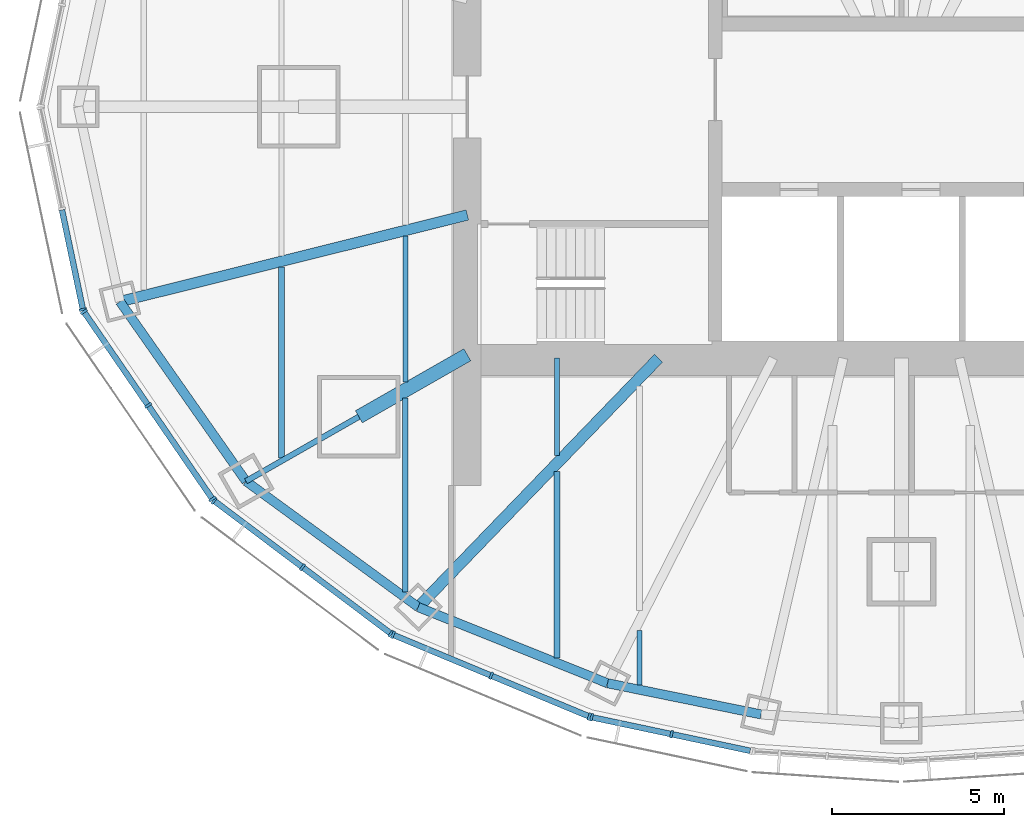
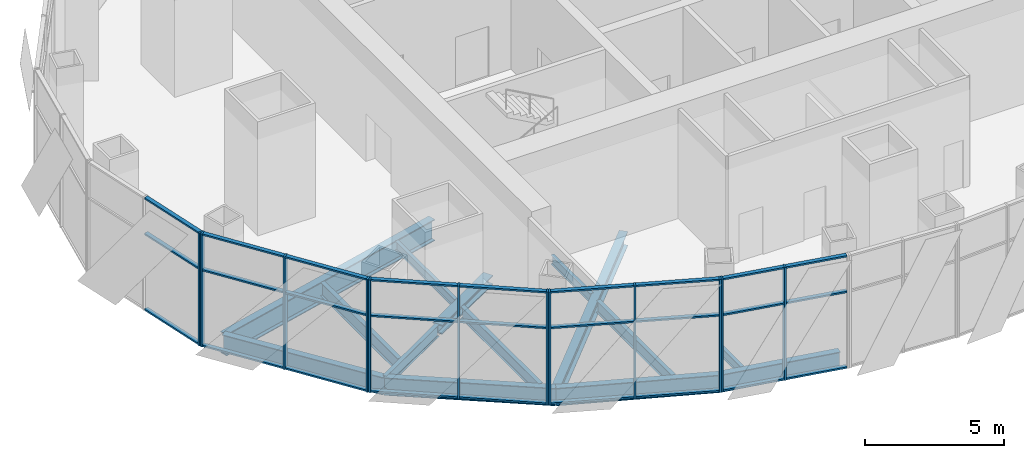
# One storey, part 2 of 17: 39 members, 14 beams, 5 elements without a shape of their own.
"""IFC4 building model written with IfcOpenShell, lengths in metres."""

from ifc_helpers import new_model, si_unit, direction, frame, origin, origin_2d, place, context, subcontext, project, spatial, rectangle, i_section, extrude, material, material_profile, profile_set, type_object, element, aggregate, save


model = new_model("IFC4")

# Units and contexts
model_context = context("Model", 3, precision=1e-05, world=origin(), true_north=direction((0.0, 1.0)))
body_context = subcontext(model_context, "Body", "Model", "MODEL_VIEW")
ifc_project = project(units=[si_unit("LENGTHUNIT", "METRE"), si_unit("AREAUNIT", "SQUARE_METRE"), si_unit("VOLUMEUNIT", "CUBIC_METRE"), si_unit("PLANEANGLEUNIT", "RADIAN"), si_unit("MASSUNIT", "GRAM", prefix="KILO")], contexts=[model_context])

# Site, building, storey
site_placement = place(None, origin())
site = spatial("IfcSite", under=ifc_project, at=site_placement, CompositionType="ELEMENT")
building_placement = place(site_placement, origin())
building = spatial("IfcBuilding", under=site, at=building_placement, Name="Lantaw Convention Tower", CompositionType="ELEMENT")
storey_placement = place(building_placement, frame((0.0, 0.0, 279.39990234375)))
storey = spatial("IfcBuildingStorey", under=building, at=storey_placement, Name="L65", CompositionType="ELEMENT", Elevation=279.39990234375)

# Beams
ifc_material_1 = material(Name="Steel ASTM A992", Category="steel")
ifc_material_profile_1 = material_profile(ifc_material_1, i_section(OverallWidth=0.2666015625, OverallDepth=0.76953125, WebThickness=0.015625, FlangeThickness=0.025390625, FilletRadius=0.0126953125, at=origin_2d()), Name="W30X132")
ifc_profile_set_1 = profile_set([ifc_material_profile_1], Name="Steel ASTM A992")
beam_type_1 = type_object("IfcBeamType", Name="Beam E W30X132", PredefinedType="SPANDREL", material=ifc_profile_set_1)
beam_1_placement = place(storey_placement, frame((-22.68701171875, -5.656494140625, -0.53466796875), z_axis=(0.574400527612, -0.81857439117, 0.0), x_axis=(0.81857439117, 0.574400527612, 0.0)))
element("IfcBeam", 1, at=beam_1_placement, inside=storey, type_object=beam_type_1, Name="Edge beam 14", PredefinedType="SPANDREL", context=body_context, shape_type="SweptSolid", body=[
    extrude(i_section(OverallWidth=0.2666015625, OverallDepth=0.76953125, WebThickness=0.015625, FlangeThickness=0.025390625, FilletRadius=0.0126953125, at=origin_2d()), origin(), (0.0, 0.0, 1.0), 6.3720703125),
])
beam_2_placement = place(storey_placement, frame((-19.02685546875, -10.87255859375, -0.53466796875), z_axis=(0.807371616826, -0.59004328006, 0.0), x_axis=(0.59004328006, 0.807371616826, 0.0)))
element("IfcBeam", 2, at=beam_2_placement, inside=storey, type_object=beam_type_1, Name="Edge beam 15", PredefinedType="SPANDREL", context=body_context, shape_type="SweptSolid", body=[
    extrude(i_section(OverallWidth=0.2666015625, OverallDepth=0.76953125, WebThickness=0.015625, FlangeThickness=0.025390625, FilletRadius=0.0126953125, at=origin_2d()), origin(), (0.0, 0.0, 1.0), 6.192138671875),
])
beam_3_placement = place(storey_placement, frame((-14.027587890625, -14.526123046875, -0.53466796875), z_axis=(0.927779110974, -0.373129898615, 0.0), x_axis=(0.373129898615, 0.927779110974, 0.0)))
element("IfcBeam", 3, at=beam_3_placement, inside=storey, type_object=beam_type_1, Name="Edge beam 16", PredefinedType="SPANDREL", context=body_context, shape_type="SweptSolid", body=[
    extrude(i_section(OverallWidth=0.2666015625, OverallDepth=0.76953125, WebThickness=0.015625, FlangeThickness=0.025390625, FilletRadius=0.0126953125, at=origin_2d()), origin(), (0.0, 0.0, 1.0), 5.92724609375),
])
beam_4_placement = place(storey_placement, frame((-8.5283203125, -16.73779296875, -0.53466796875), z_axis=(0.980006466425, -0.198965639657, 0.0), x_axis=(0.198965639657, 0.980006466425, 0.0)))
element("IfcBeam", 4, at=beam_4_placement, inside=storey, type_object=beam_type_1, Name="Edge beam 17", PredefinedType="SPANDREL", context=body_context, shape_type="SweptSolid", body=[
    extrude(i_section(OverallWidth=0.2666015625, OverallDepth=0.76953125, WebThickness=0.015625, FlangeThickness=0.025390625, FilletRadius=0.0126953125, at=origin_2d()), origin(), (0.0, 0.0, 1.0), 4.546142578125),
])
ifc_material_profile_2 = material_profile(ifc_material_1, i_section(OverallWidth=0.1650390625, OverallDepth=0.52587890625, WebThickness=0.0087890625, FlangeThickness=0.011474609375, FilletRadius=0.0126953125, at=origin_2d()), Name="W21X44")
ifc_profile_set_2 = profile_set([ifc_material_profile_2], Name="Steel ASTM A992")
beam_type_2 = type_object("IfcBeamType", Name="Beam G W21X44", PredefinedType="BEAM", material=ifc_profile_set_2)
beam_5_placement = place(storey_placement, frame((-15.75, -9.0, -0.412841796875), z_axis=(-0.868235180478, -0.496152870978, 0.0), x_axis=(0.496152870978, -0.868235180478, 0.0)))
element("IfcBeam", 5, at=beam_5_placement, inside=storey, type_object=beam_type_2, Name="Floor girder on ray 15", PredefinedType="BEAM", context=body_context, shape_type="SweptSolid", body=[
    extrude(i_section(OverallWidth=0.1650390625, OverallDepth=0.52587890625, WebThickness=0.0087890625, FlangeThickness=0.011474609375, FilletRadius=0.0126953125, at=origin_2d()), origin(), (0.0, 0.0, 1.0), 3.774169921875),
])
ifc_material_profile_3 = material_profile(ifc_material_1, i_section(OverallWidth=0.32763671875, OverallDepth=0.62744140625, WebThickness=0.0166015625, FlangeThickness=0.027587890625, FilletRadius=0.0126953125, at=origin_2d()), Name="W24X146")
ifc_profile_set_3 = profile_set([ifc_material_profile_3], Name="Steel ASTM A992")
beam_type_3 = type_object("IfcBeamType", Name="Beam G W24X146", PredefinedType="BEAM", material=ifc_profile_set_3)
beam_6_placement = place(storey_placement, frame((-7.049560546875, -7.300048828125, -0.463623046875), z_axis=(-0.694652631285, -0.71934534255, 0.0), x_axis=(0.71934534255, -0.694652631285, 0.0)))
element("IfcBeam", 6, at=beam_6_placement, inside=storey, type_object=beam_type_3, Name="Floor girder on ray 16", PredefinedType="BEAM", context=body_context, shape_type="SweptSolid", body=[
    extrude(i_section(OverallWidth=0.32763671875, OverallDepth=0.62744140625, WebThickness=0.0166015625, FlangeThickness=0.027587890625, FilletRadius=0.0126953125, at=origin_2d()), origin(), (0.0, 0.0, 1.0), 10.04541015625),
])
ifc_material_profile_4 = material_profile(ifc_material_1, i_section(OverallWidth=0.307373046875, OverallDepth=0.9423828125, WebThickness=0.022216796875, FlangeThickness=0.039794921875, FilletRadius=0.0126953125, at=origin_2d()), Name="W36X232")
ifc_profile_set_4 = profile_set([ifc_material_profile_4], Name="Steel ASTM A992")
beam_type_4 = type_object("IfcBeamType", Name="Beam G W36X232", PredefinedType="BEAM", material=ifc_profile_set_4)
beam_7_placement = place(storey_placement, frame((-12.60009765625, -3.1416015625, -0.62109375), z_axis=(-0.97029702597, -0.241916682751, 0.0), x_axis=(0.241916682751, -0.97029702597, 0.0)))
element("IfcBeam", 7, at=beam_7_placement, inside=storey, type_object=beam_type_4, Name="Floor girder on ray 14", PredefinedType="BEAM", context=body_context, shape_type="SweptSolid", body=[
    extrude(i_section(OverallWidth=0.307373046875, OverallDepth=0.9423828125, WebThickness=0.022216796875, FlangeThickness=0.039794921875, FilletRadius=0.0126953125, at=origin_2d()), origin(), (0.0, 0.0, 1.0), 10.395751953125),
])
ifc_material_profile_5 = material_profile(ifc_material_1, i_section(OverallWidth=0.40380859375, OverallDepth=0.406494140625, WebThickness=0.027099609375, FlangeThickness=0.043701171875, FilletRadius=0.01513671875, at=origin_2d()), Name="W14X233")
ifc_profile_set_5 = profile_set([ifc_material_profile_5], Name="Steel ASTM A992")
beam_type_5 = type_object("IfcBeamType", Name="Beam GM W14X233", PredefinedType="BEAM", material=ifc_profile_set_5)
beam_8_placement = place(storey_placement, frame((-12.60009765625, -7.199951171875, -0.35302734375), z_axis=(-0.868230718294, -0.496160679428, 0.0), x_axis=(0.496160679428, -0.868230718294, 0.0)))
element("IfcBeam", 8, at=beam_8_placement, inside=storey, type_object=beam_type_5, Name="Core link beam on ray 15", PredefinedType="BEAM", context=body_context, shape_type="SweptSolid", body=[
    extrude(i_section(OverallWidth=0.40380859375, OverallDepth=0.406494140625, WebThickness=0.027099609375, FlangeThickness=0.043701171875, FilletRadius=0.01513671875, at=origin_2d()), origin(), (0.0, 0.0, 1.0), 3.6279296875),
])
ifc_material_profile_6 = material_profile(ifc_material_1, i_section(OverallWidth=0.140380859375, OverallDepth=0.40380859375, WebThickness=0.007080078125, FlangeThickness=0.01123046875, FilletRadius=0.01025390625, at=origin_2d()), Name="W16X31")
ifc_profile_set_6 = profile_set([ifc_material_profile_6], Name="Steel ASTM A992")
beam_type_6 = type_object("IfcBeamType", Name="Beam J W16X31", PredefinedType="JOIST", material=ifc_profile_set_6)
beam_9_placement = place(storey_placement, frame((-14.39990234375, -7.99609375, -0.351806640625), z_axis=(0.0, 1.0, 0.0), x_axis=(-1.0, 0.0, 0.0)))
element("IfcBeam", 9, at=beam_9_placement, inside=storey, type_object=beam_type_6, Name="Floor joist", PredefinedType="JOIST", context=body_context, shape_type="SweptSolid", body=[
    extrude(i_section(OverallWidth=0.140380859375, OverallDepth=0.40380859375, WebThickness=0.007080078125, FlangeThickness=0.01123046875, FilletRadius=0.01025390625, at=origin_2d()), origin(), (0.0, 0.0, 1.0), 4.247314453125),
])
beam_10_placement = place(storey_placement, frame((-10.0, -10.119384765625, -0.351806640625), z_axis=(0.0, 1.0, 0.0), x_axis=(-1.0, 0.0, 0.0)))
element("IfcBeam", 10, at=beam_10_placement, inside=storey, type_object=beam_type_6, Name="Floor joist", PredefinedType="JOIST", context=body_context, shape_type="SweptSolid", body=[
    extrude(i_section(OverallWidth=0.140380859375, OverallDepth=0.40380859375, WebThickness=0.007080078125, FlangeThickness=0.01123046875, FilletRadius=0.01025390625, at=origin_2d()), origin(), (0.0, 0.0, 1.0), 2.8193359375),
])
beam_11_placement = place(storey_placement, frame((-7.60009765625, -16.790283203125, -0.351806640625), z_axis=(0.0, 1.0, 0.0), x_axis=(-1.0, 0.0, 0.0)))
element("IfcBeam", 11, at=beam_11_placement, inside=storey, type_object=beam_type_6, Name="Floor joist", PredefinedType="JOIST", context=body_context, shape_type="SweptSolid", body=[
    extrude(i_section(OverallWidth=0.140380859375, OverallDepth=0.40380859375, WebThickness=0.007080078125, FlangeThickness=0.01123046875, FilletRadius=0.01025390625, at=origin_2d()), origin(), (0.0, 0.0, 1.0), 1.580810546875),
])
ifc_material_profile_7 = material_profile(ifc_material_1, i_section(OverallWidth=0.1650390625, OverallDepth=0.52587890625, WebThickness=0.0087890625, FlangeThickness=0.011474609375, FilletRadius=0.0126953125, at=origin_2d()), Name="W21X44")
ifc_profile_set_7 = profile_set([ifc_material_profile_7], Name="Steel ASTM A992")
beam_type_7 = type_object("IfcBeamType", Name="Beam J W21X44", PredefinedType="JOIST", material=ifc_profile_set_7)
beam_12_placement = place(storey_placement, frame((-14.39990234375, -14.0888671875, -0.412841796875), z_axis=(0.0, 1.0, 0.0), x_axis=(-1.0, 0.0, 0.0)))
element("IfcBeam", 12, at=beam_12_placement, inside=storey, type_object=beam_type_7, Name="Floor joist", PredefinedType="JOIST", context=body_context, shape_type="SweptSolid", body=[
    extrude(i_section(OverallWidth=0.1650390625, OverallDepth=0.52587890625, WebThickness=0.0087890625, FlangeThickness=0.011474609375, FilletRadius=0.0126953125, at=origin_2d()), origin(), (0.0, 0.0, 1.0), 5.627685546875),
])
beam_13_placement = place(storey_placement, frame((-10.0, -16.002197265625, -0.412841796875), z_axis=(0.0, 1.0, 0.0), x_axis=(-1.0, 0.0, 0.0)))
element("IfcBeam", 13, at=beam_13_placement, inside=storey, type_object=beam_type_7, Name="Floor joist", PredefinedType="JOIST", context=body_context, shape_type="SweptSolid", body=[
    extrude(i_section(OverallWidth=0.1650390625, OverallDepth=0.52587890625, WebThickness=0.0087890625, FlangeThickness=0.011474609375, FilletRadius=0.0126953125, at=origin_2d()), origin(), (0.0, 0.0, 1.0), 5.4111328125),
])
ifc_material_profile_8 = material_profile(ifc_material_1, i_section(OverallWidth=0.177978515625, OverallDepth=0.599365234375, WebThickness=0.010009765625, FlangeThickness=0.012939453125, FilletRadius=0.012939453125, at=origin_2d()), Name="W24X55")
ifc_profile_set_8 = profile_set([ifc_material_profile_8], Name="Steel ASTM A992")
beam_type_8 = type_object("IfcBeamType", Name="Beam J W24X55", PredefinedType="JOIST", material=ifc_profile_set_8)
beam_14_placement = place(storey_placement, frame((-18.0, -10.190673828125, -0.44970703125), z_axis=(0.0, 1.0, 0.0), x_axis=(-1.0, 0.0, 0.0)))
element("IfcBeam", 14, at=beam_14_placement, inside=storey, type_object=beam_type_8, Name="Floor joist", PredefinedType="JOIST", context=body_context, shape_type="SweptSolid", body=[
    extrude(i_section(OverallWidth=0.177978515625, OverallDepth=0.599365234375, WebThickness=0.010009765625, FlangeThickness=0.012939453125, FilletRadius=0.012939453125, at=origin_2d()), origin(), (0.0, 0.0, 1.0), 5.54443359375),
])

# Curtain wall, member
ifc_material_2 = material(Name="Aluminium framed curtain wall", Category="aluminium")
curtain_wall_type = type_object("IfcCurtainWallType", Name="Executive floors curtain wall, pale aluminium", PredefinedType="USERDEFINED", material=ifc_material_2)
curtain_wall_1_placement = place(storey_placement, origin())
curtain_wall_1 = element("IfcCurtainWall", 15, at=curtain_wall_1_placement, inside=storey, type_object=curtain_wall_type, Name="Executive floors curtain wall, pale aluminium L65", ObjectType="UNITISED CURTAIN WALL", PredefinedType="USERDEFINED")
ifc_material_3 = material(Name="Aluminium 6063-T6", Category="aluminium")
ifc_material_profile_9 = material_profile(ifc_material_3, rectangle(XDim=0.219970703125, YDim=0.070068359375, at=origin_2d()), Name="CW-T mullion 70x220")
ifc_profile_set_9 = profile_set([ifc_material_profile_9], Name="Aluminium 6063-T6")
member_type_1 = type_object("IfcMemberType", Name="CW-T mullion 70x220", PredefinedType="MULLION", material=ifc_profile_set_9)
member_1_placement = place(storey_placement, frame((-23.761474609375, -5.888427734375, -0.14990234375), z_axis=(0.0, 0.0, 1.0), x_axis=(0.978591117263, 0.205814054946, 0.0)))
member_1 = element("IfcMember", 16, at=member_1_placement, type_object=member_type_1, Name="CW-T mullion 3", PredefinedType="MULLION", context=body_context, shape_type="SweptSolid", body=[
    extrude(rectangle(XDim=0.219970703125, YDim=0.070068359375, at=origin_2d()), origin(), (0.0, 0.0, 1.0), 4.949951171875),
])

# Curtain wall, members
curtain_wall_2_placement = place(storey_placement, origin())
curtain_wall_2 = element("IfcCurtainWall", 17, at=curtain_wall_2_placement, inside=storey, type_object=curtain_wall_type, Name="Executive floors curtain wall, pale aluminium L65", ObjectType="UNITISED CURTAIN WALL", PredefinedType="USERDEFINED")
member_2_placement = place(storey_placement, frame((-23.734619140625, -5.951416015625, -0.14990234375), z_axis=(0.0, 0.0, 1.0), x_axis=(0.824449977189, 0.565934832921, 0.0)))
member_2 = element("IfcMember", 18, at=member_2_placement, type_object=member_type_1, Name="CW-T mullion 1", PredefinedType="MULLION", context=body_context, shape_type="SweptSolid", body=[
    extrude(rectangle(XDim=0.219970703125, YDim=0.070068359375, at=origin_2d()), origin(), (0.0, 0.0, 1.0), 4.949951171875),
])
member_3_placement = place(storey_placement, frame((-21.8681640625, -8.67041015625, -0.14990234375), z_axis=(0.0, 0.0, 1.0), x_axis=(0.824449977189, 0.565934832921, 0.0)))
member_3 = element("IfcMember", 19, at=member_3_placement, type_object=member_type_1, Name="CW-T mullion 2", PredefinedType="MULLION", context=body_context, shape_type="SweptSolid", body=[
    extrude(rectangle(XDim=0.219970703125, YDim=0.070068359375, at=origin_2d()), origin(), (0.0, 0.0, 1.0), 4.949951171875),
])
member_4_placement = place(storey_placement, frame((-20.001708984375, -11.389404296875, -0.14990234375), z_axis=(0.0, 0.0, 1.0), x_axis=(0.824449977189, 0.565934832921, 0.0)))
member_4 = element("IfcMember", 20, at=member_4_placement, type_object=member_type_1, Name="CW-T mullion 3", PredefinedType="MULLION", context=body_context, shape_type="SweptSolid", body=[
    extrude(rectangle(XDim=0.219970703125, YDim=0.070068359375, at=origin_2d()), origin(), (0.0, 0.0, 1.0), 4.949951171875),
])

curtain_wall_3_placement = place(storey_placement, origin())
curtain_wall_3 = element("IfcCurtainWall", 21, at=curtain_wall_3_placement, inside=storey, type_object=curtain_wall_type, Name="Executive floors curtain wall, pale aluminium L65", ObjectType="UNITISED CURTAIN WALL", PredefinedType="USERDEFINED")
member_5_placement = place(storey_placement, frame((-19.953857421875, -11.439208984375, -0.14990234375), z_axis=(0.0, 0.0, 1.0), x_axis=(0.600642756762, 0.799517528732, 0.0)))
member_5 = element("IfcMember", 22, at=member_5_placement, type_object=member_type_1, Name="CW-T mullion 1", PredefinedType="MULLION", context=body_context, shape_type="SweptSolid", body=[
    extrude(rectangle(XDim=0.219970703125, YDim=0.070068359375, at=origin_2d()), origin(), (0.0, 0.0, 1.0), 4.949951171875),
])
member_6_placement = place(storey_placement, frame((-17.386962890625, -13.367919921875, -0.14990234375), z_axis=(0.0, 0.0, 1.0), x_axis=(0.600642756762, 0.799517528732, 0.0)))
member_6 = element("IfcMember", 23, at=member_6_placement, type_object=member_type_1, Name="CW-T mullion 2", PredefinedType="MULLION", context=body_context, shape_type="SweptSolid", body=[
    extrude(rectangle(XDim=0.219970703125, YDim=0.070068359375, at=origin_2d()), origin(), (0.0, 0.0, 1.0), 4.949951171875),
])
member_7_placement = place(storey_placement, frame((-14.81982421875, -15.29638671875, -0.14990234375), z_axis=(0.0, 0.0, 1.0), x_axis=(0.600642756762, 0.799517528732, 0.0)))
member_7 = element("IfcMember", 24, at=member_7_placement, type_object=member_type_1, Name="CW-T mullion 3", PredefinedType="MULLION", context=body_context, shape_type="SweptSolid", body=[
    extrude(rectangle(XDim=0.219970703125, YDim=0.070068359375, at=origin_2d()), origin(), (0.0, 0.0, 1.0), 4.949951171875),
])

curtain_wall_4_placement = place(storey_placement, origin())
curtain_wall_4 = element("IfcCurtainWall", 25, at=curtain_wall_4_placement, inside=storey, type_object=curtain_wall_type, Name="Executive floors curtain wall, pale aluminium L65", ObjectType="UNITISED CURTAIN WALL", PredefinedType="USERDEFINED")
member_8_placement = place(storey_placement, frame((-14.759521484375, -15.330810546875, -0.14990234375), z_axis=(0.0, 0.0, 1.0), x_axis=(0.384459697924, 0.923141777124, 0.0)))
member_8 = element("IfcMember", 26, at=member_8_placement, type_object=member_type_1, Name="CW-T mullion 1", PredefinedType="MULLION", context=body_context, shape_type="SweptSolid", body=[
    extrude(rectangle(XDim=0.219970703125, YDim=0.070068359375, at=origin_2d()), origin(), (0.0, 0.0, 1.0), 4.949951171875),
])
member_9_placement = place(storey_placement, frame((-11.90966796875, -16.517578125, -0.14990234375), z_axis=(0.0, 0.0, 1.0), x_axis=(0.384459697924, 0.923141777124, 0.0)))
member_9 = element("IfcMember", 27, at=member_9_placement, type_object=member_type_1, Name="CW-T mullion 2", PredefinedType="MULLION", context=body_context, shape_type="SweptSolid", body=[
    extrude(rectangle(XDim=0.219970703125, YDim=0.070068359375, at=origin_2d()), origin(), (0.0, 0.0, 1.0), 4.949951171875),
])
member_10_placement = place(storey_placement, frame((-9.06005859375, -17.70458984375, -0.14990234375), z_axis=(0.0, 0.0, 1.0), x_axis=(0.384459697924, 0.923141777124, 0.0)))
member_10 = element("IfcMember", 28, at=member_10_placement, type_object=member_type_1, Name="CW-T mullion 3", PredefinedType="MULLION", context=body_context, shape_type="SweptSolid", body=[
    extrude(rectangle(XDim=0.219970703125, YDim=0.070068359375, at=origin_2d()), origin(), (0.0, 0.0, 1.0), 4.949951171875),
])

curtain_wall_5_placement = place(storey_placement, origin())
curtain_wall_5 = element("IfcCurtainWall", 29, at=curtain_wall_5_placement, inside=storey, type_object=curtain_wall_type, Name="Executive floors curtain wall, pale aluminium L65", ObjectType="UNITISED CURTAIN WALL", PredefinedType="USERDEFINED")
member_11_placement = place(storey_placement, frame((-8.993408203125, -17.72509765625, -0.14990234375), z_axis=(0.0, 0.0, 1.0), x_axis=(0.207039911975, 0.978332497083, 0.0)))
member_11 = element("IfcMember", 30, at=member_11_placement, type_object=member_type_1, Name="CW-T mullion 1", PredefinedType="MULLION", context=body_context, shape_type="SweptSolid", body=[
    extrude(rectangle(XDim=0.219970703125, YDim=0.070068359375, at=origin_2d()), origin(), (0.0, 0.0, 1.0), 4.949951171875),
])
member_12_placement = place(storey_placement, frame((-6.674072265625, -18.216064453125, -0.14990234375), z_axis=(0.0, 0.0, 1.0), x_axis=(0.207039911975, 0.978332497083, 0.0)))
member_12 = element("IfcMember", 31, at=member_12_placement, type_object=member_type_1, Name="CW-T mullion 2", PredefinedType="MULLION", context=body_context, shape_type="SweptSolid", body=[
    extrude(rectangle(XDim=0.219970703125, YDim=0.070068359375, at=origin_2d()), origin(), (0.0, 0.0, 1.0), 4.949951171875),
])

# Member
ifc_material_profile_10 = material_profile(ifc_material_3, rectangle(XDim=0.169921875, YDim=0.070068359375, at=origin_2d()), Name="CW-T transom 70x170")
ifc_profile_set_10 = profile_set([ifc_material_profile_10], Name="Aluminium 6063-T6")
member_type_2 = type_object("IfcMemberType", Name="CW-T transom 70x170", PredefinedType="USERDEFINED", material=ifc_profile_set_10)
member_13_placement = place(storey_placement, frame((-24.369873046875, -2.99560546875, -0.114990234375), z_axis=(0.205766173106, -0.978601186391, 0.0), x_axis=(0.978601186391, 0.205766173106, 0.0)))
member_13 = element("IfcMember", 32, at=member_13_placement, type_object=member_type_2, Name="CW-T transom 2.1", ObjectType="TRANSOM", PredefinedType="USERDEFINED", context=body_context, shape_type="SweptSolid", body=[
    extrude(rectangle(XDim=0.169921875, YDim=0.070068359375, at=origin_2d()), origin(), (0.0, 0.0, 1.0), 2.921142578125),
])

member_14_placement = place(storey_placement, frame((-24.369873046875, -2.99560546875, 3.2001953125), z_axis=(0.205766173106, -0.978601186391, 0.0), x_axis=(0.978601186391, 0.205766173106, 0.0)))
member_14 = element("IfcMember", 33, at=member_14_placement, type_object=member_type_2, Name="CW-T transom 2.2", ObjectType="TRANSOM", PredefinedType="USERDEFINED", context=body_context, shape_type="SweptSolid", body=[
    extrude(rectangle(XDim=0.169921875, YDim=0.070068359375, at=origin_2d()), origin(), (0.0, 0.0, 1.0), 2.921142578125),
])

member_15_placement = place(storey_placement, frame((-24.369873046875, -2.99560546875, 4.76513671875), z_axis=(0.205766173106, -0.978601186391, 0.0), x_axis=(0.978601186391, 0.205766173106, 0.0)))
member_15 = element("IfcMember", 34, at=member_15_placement, type_object=member_type_2, Name="CW-T transom 2.3", ObjectType="TRANSOM", PredefinedType="USERDEFINED", context=body_context, shape_type="SweptSolid", body=[
    extrude(rectangle(XDim=0.169921875, YDim=0.070068359375, at=origin_2d()), origin(), (0.0, 0.0, 1.0), 2.921142578125),
])

aggregate(curtain_wall_1, [member_1, member_13, member_14, member_15])

member_16_placement = place(storey_placement, frame((-23.71484375, -5.980224609375, -0.114990234375), z_axis=(0.56594129057, -0.824445544368, 0.0), x_axis=(0.824445544368, 0.56594129057, 0.0)))
member_16 = element("IfcMember", 35, at=member_16_placement, type_object=member_type_2, Name="CW-T transom 1.1", ObjectType="TRANSOM", PredefinedType="USERDEFINED", context=body_context, shape_type="SweptSolid", body=[
    extrude(rectangle(XDim=0.169921875, YDim=0.070068359375, at=origin_2d()), origin(), (0.0, 0.0, 1.0), 3.22802734375),
])

member_17_placement = place(storey_placement, frame((-23.71484375, -5.980224609375, 3.2001953125), z_axis=(0.56594129057, -0.824445544368, 0.0), x_axis=(0.824445544368, 0.56594129057, 0.0)))
member_17 = element("IfcMember", 36, at=member_17_placement, type_object=member_type_2, Name="CW-T transom 1.2", ObjectType="TRANSOM", PredefinedType="USERDEFINED", context=body_context, shape_type="SweptSolid", body=[
    extrude(rectangle(XDim=0.169921875, YDim=0.070068359375, at=origin_2d()), origin(), (0.0, 0.0, 1.0), 3.22802734375),
])

member_18_placement = place(storey_placement, frame((-23.71484375, -5.980224609375, 4.76513671875), z_axis=(0.56594129057, -0.824445544368, 0.0), x_axis=(0.824445544368, 0.56594129057, 0.0)))
member_18 = element("IfcMember", 37, at=member_18_placement, type_object=member_type_2, Name="CW-T transom 1.3", ObjectType="TRANSOM", PredefinedType="USERDEFINED", context=body_context, shape_type="SweptSolid", body=[
    extrude(rectangle(XDim=0.169921875, YDim=0.070068359375, at=origin_2d()), origin(), (0.0, 0.0, 1.0), 3.22802734375),
])

member_19_placement = place(storey_placement, frame((-21.848388671875, -8.69921875, -0.114990234375), z_axis=(0.56594129057, -0.824445544368, 0.0), x_axis=(0.824445544368, 0.56594129057, 0.0)))
member_19 = element("IfcMember", 38, at=member_19_placement, type_object=member_type_2, Name="CW-T transom 2.1", ObjectType="TRANSOM", PredefinedType="USERDEFINED", context=body_context, shape_type="SweptSolid", body=[
    extrude(rectangle(XDim=0.169921875, YDim=0.070068359375, at=origin_2d()), origin(), (0.0, 0.0, 1.0), 3.22802734375),
])

member_20_placement = place(storey_placement, frame((-21.848388671875, -8.69921875, 3.2001953125), z_axis=(0.56594129057, -0.824445544368, 0.0), x_axis=(0.824445544368, 0.56594129057, 0.0)))
member_20 = element("IfcMember", 39, at=member_20_placement, type_object=member_type_2, Name="CW-T transom 2.2", ObjectType="TRANSOM", PredefinedType="USERDEFINED", context=body_context, shape_type="SweptSolid", body=[
    extrude(rectangle(XDim=0.169921875, YDim=0.070068359375, at=origin_2d()), origin(), (0.0, 0.0, 1.0), 3.22802734375),
])

member_21_placement = place(storey_placement, frame((-21.848388671875, -8.69921875, 4.76513671875), z_axis=(0.56594129057, -0.824445544368, 0.0), x_axis=(0.824445544368, 0.56594129057, 0.0)))
member_21 = element("IfcMember", 40, at=member_21_placement, type_object=member_type_2, Name="CW-T transom 2.3", ObjectType="TRANSOM", PredefinedType="USERDEFINED", context=body_context, shape_type="SweptSolid", body=[
    extrude(rectangle(XDim=0.169921875, YDim=0.070068359375, at=origin_2d()), origin(), (0.0, 0.0, 1.0), 3.22802734375),
])

aggregate(curtain_wall_2, [member_2, member_3, member_4, member_16, member_17, member_18, member_19, member_20, member_21])

member_22_placement = place(storey_placement, frame((-19.926025390625, -11.460205078125, -0.114990234375), z_axis=(0.799496049611, -0.600671346626, 0.0), x_axis=(0.600671346626, 0.799496049611, 0.0)))
member_22 = element("IfcMember", 41, at=member_22_placement, type_object=member_type_2, Name="CW-T transom 1.1", ObjectType="TRANSOM", PredefinedType="USERDEFINED", context=body_context, shape_type="SweptSolid", body=[
    extrude(rectangle(XDim=0.169921875, YDim=0.070068359375, at=origin_2d()), origin(), (0.0, 0.0, 1.0), 3.14111328125),
])

member_23_placement = place(storey_placement, frame((-19.926025390625, -11.460205078125, 3.2001953125), z_axis=(0.799496049611, -0.600671346626, 0.0), x_axis=(0.600671346626, 0.799496049611, 0.0)))
member_23 = element("IfcMember", 42, at=member_23_placement, type_object=member_type_2, Name="CW-T transom 1.2", ObjectType="TRANSOM", PredefinedType="USERDEFINED", context=body_context, shape_type="SweptSolid", body=[
    extrude(rectangle(XDim=0.169921875, YDim=0.070068359375, at=origin_2d()), origin(), (0.0, 0.0, 1.0), 3.14111328125),
])

member_24_placement = place(storey_placement, frame((-19.926025390625, -11.460205078125, 4.76513671875), z_axis=(0.799496049611, -0.600671346626, 0.0), x_axis=(0.600671346626, 0.799496049611, 0.0)))
member_24 = element("IfcMember", 43, at=member_24_placement, type_object=member_type_2, Name="CW-T transom 1.3", ObjectType="TRANSOM", PredefinedType="USERDEFINED", context=body_context, shape_type="SweptSolid", body=[
    extrude(rectangle(XDim=0.169921875, YDim=0.070068359375, at=origin_2d()), origin(), (0.0, 0.0, 1.0), 3.14111328125),
])

member_25_placement = place(storey_placement, frame((-17.35888671875, -13.388916015625, -0.114990234375), z_axis=(0.799505333284, -0.600658989819, 0.0), x_axis=(0.600658989819, 0.799505333284, 0.0)))
member_25 = element("IfcMember", 44, at=member_25_placement, type_object=member_type_2, Name="CW-T transom 2.1", ObjectType="TRANSOM", PredefinedType="USERDEFINED", context=body_context, shape_type="SweptSolid", body=[
    extrude(rectangle(XDim=0.169921875, YDim=0.070068359375, at=origin_2d()), origin(), (0.0, 0.0, 1.0), 3.140625),
])

member_26_placement = place(storey_placement, frame((-17.35888671875, -13.388916015625, 3.2001953125), z_axis=(0.799505333284, -0.600658989819, 0.0), x_axis=(0.600658989819, 0.799505333284, 0.0)))
member_26 = element("IfcMember", 45, at=member_26_placement, type_object=member_type_2, Name="CW-T transom 2.2", ObjectType="TRANSOM", PredefinedType="USERDEFINED", context=body_context, shape_type="SweptSolid", body=[
    extrude(rectangle(XDim=0.169921875, YDim=0.070068359375, at=origin_2d()), origin(), (0.0, 0.0, 1.0), 3.140625),
])

member_27_placement = place(storey_placement, frame((-17.35888671875, -13.388916015625, 4.76513671875), z_axis=(0.799505333284, -0.600658989819, 0.0), x_axis=(0.600658989819, 0.799505333284, 0.0)))
member_27 = element("IfcMember", 46, at=member_27_placement, type_object=member_type_2, Name="CW-T transom 2.3", ObjectType="TRANSOM", PredefinedType="USERDEFINED", context=body_context, shape_type="SweptSolid", body=[
    extrude(rectangle(XDim=0.169921875, YDim=0.070068359375, at=origin_2d()), origin(), (0.0, 0.0, 1.0), 3.140625),
])

aggregate(curtain_wall_3, [member_5, member_6, member_7, member_22, member_23, member_24, member_25, member_26, member_27])

member_28_placement = place(storey_placement, frame((-14.727294921875, -15.34423828125, -0.114990234375), z_axis=(0.923143943999, -0.384454494911, 0.0), x_axis=(0.384454494911, 0.923143943999, 0.0)))
member_28 = element("IfcMember", 47, at=member_28_placement, type_object=member_type_2, Name="CW-T transom 1.1", ObjectType="TRANSOM", PredefinedType="USERDEFINED", context=body_context, shape_type="SweptSolid", body=[
    extrude(rectangle(XDim=0.169921875, YDim=0.070068359375, at=origin_2d()), origin(), (0.0, 0.0, 1.0), 3.01708984375),
])

member_29_placement = place(storey_placement, frame((-14.727294921875, -15.34423828125, 3.2001953125), z_axis=(0.923143943999, -0.384454494911, 0.0), x_axis=(0.384454494911, 0.923143943999, 0.0)))
member_29 = element("IfcMember", 48, at=member_29_placement, type_object=member_type_2, Name="CW-T transom 1.2", ObjectType="TRANSOM", PredefinedType="USERDEFINED", context=body_context, shape_type="SweptSolid", body=[
    extrude(rectangle(XDim=0.169921875, YDim=0.070068359375, at=origin_2d()), origin(), (0.0, 0.0, 1.0), 3.01708984375),
])

member_30_placement = place(storey_placement, frame((-14.727294921875, -15.34423828125, 4.76513671875), z_axis=(0.923143943999, -0.384454494911, 0.0), x_axis=(0.384454494911, 0.923143943999, 0.0)))
member_30 = element("IfcMember", 49, at=member_30_placement, type_object=member_type_2, Name="CW-T transom 1.3", ObjectType="TRANSOM", PredefinedType="USERDEFINED", context=body_context, shape_type="SweptSolid", body=[
    extrude(rectangle(XDim=0.169921875, YDim=0.070068359375, at=origin_2d()), origin(), (0.0, 0.0, 1.0), 3.01708984375),
])

member_31_placement = place(storey_placement, frame((-11.87744140625, -16.531005859375, -0.114990234375), z_axis=(0.923143943999, -0.384454494911, 0.0), x_axis=(0.384454494911, 0.923143943999, 0.0)))
member_31 = element("IfcMember", 50, at=member_31_placement, type_object=member_type_2, Name="CW-T transom 2.1", ObjectType="TRANSOM", PredefinedType="USERDEFINED", context=body_context, shape_type="SweptSolid", body=[
    extrude(rectangle(XDim=0.169921875, YDim=0.070068359375, at=origin_2d()), origin(), (0.0, 0.0, 1.0), 3.01708984375),
])

member_32_placement = place(storey_placement, frame((-11.87744140625, -16.531005859375, 3.2001953125), z_axis=(0.923143943999, -0.384454494911, 0.0), x_axis=(0.384454494911, 0.923143943999, 0.0)))
member_32 = element("IfcMember", 51, at=member_32_placement, type_object=member_type_2, Name="CW-T transom 2.2", ObjectType="TRANSOM", PredefinedType="USERDEFINED", context=body_context, shape_type="SweptSolid", body=[
    extrude(rectangle(XDim=0.169921875, YDim=0.070068359375, at=origin_2d()), origin(), (0.0, 0.0, 1.0), 3.01708984375),
])

member_33_placement = place(storey_placement, frame((-11.87744140625, -16.531005859375, 4.76513671875), z_axis=(0.923143943999, -0.384454494911, 0.0), x_axis=(0.384454494911, 0.923143943999, 0.0)))
member_33 = element("IfcMember", 52, at=member_33_placement, type_object=member_type_2, Name="CW-T transom 2.3", ObjectType="TRANSOM", PredefinedType="USERDEFINED", context=body_context, shape_type="SweptSolid", body=[
    extrude(rectangle(XDim=0.169921875, YDim=0.070068359375, at=origin_2d()), origin(), (0.0, 0.0, 1.0), 3.01708984375),
])

aggregate(curtain_wall_4, [member_8, member_9, member_10, member_28, member_29, member_30, member_31, member_32, member_33])

member_34_placement = place(storey_placement, frame((-8.959228515625, -17.732421875, -0.114990234375), z_axis=(0.978336479598, -0.207021092375, 0.0), x_axis=(0.207021092375, 0.978336479598, 0.0)))
member_34 = element("IfcMember", 53, at=member_34_placement, type_object=member_type_2, Name="CW-T transom 1.1", ObjectType="TRANSOM", PredefinedType="USERDEFINED", context=body_context, shape_type="SweptSolid", body=[
    extrude(rectangle(XDim=0.169921875, YDim=0.070068359375, at=origin_2d()), origin(), (0.0, 0.0, 1.0), 2.30078125),
])

member_35_placement = place(storey_placement, frame((-8.959228515625, -17.732421875, 3.2001953125), z_axis=(0.978336479598, -0.207021092375, 0.0), x_axis=(0.207021092375, 0.978336479598, 0.0)))
member_35 = element("IfcMember", 54, at=member_35_placement, type_object=member_type_2, Name="CW-T transom 1.2", ObjectType="TRANSOM", PredefinedType="USERDEFINED", context=body_context, shape_type="SweptSolid", body=[
    extrude(rectangle(XDim=0.169921875, YDim=0.070068359375, at=origin_2d()), origin(), (0.0, 0.0, 1.0), 2.30078125),
])

member_36_placement = place(storey_placement, frame((-8.959228515625, -17.732421875, 4.76513671875), z_axis=(0.978336479598, -0.207021092375, 0.0), x_axis=(0.207021092375, 0.978336479598, 0.0)))
member_36 = element("IfcMember", 55, at=member_36_placement, type_object=member_type_2, Name="CW-T transom 1.3", ObjectType="TRANSOM", PredefinedType="USERDEFINED", context=body_context, shape_type="SweptSolid", body=[
    extrude(rectangle(XDim=0.169921875, YDim=0.070068359375, at=origin_2d()), origin(), (0.0, 0.0, 1.0), 2.30078125),
])

member_37_placement = place(storey_placement, frame((-6.639892578125, -18.223388671875, -0.114990234375), z_axis=(0.978336479598, -0.207021092375, 0.0), x_axis=(0.207021092375, 0.978336479598, 0.0)))
member_37 = element("IfcMember", 56, at=member_37_placement, type_object=member_type_2, Name="CW-T transom 2.1", ObjectType="TRANSOM", PredefinedType="USERDEFINED", context=body_context, shape_type="SweptSolid", body=[
    extrude(rectangle(XDim=0.169921875, YDim=0.070068359375, at=origin_2d()), origin(), (0.0, 0.0, 1.0), 2.30078125),
])

member_38_placement = place(storey_placement, frame((-6.639892578125, -18.223388671875, 3.2001953125), z_axis=(0.978336479598, -0.207021092375, 0.0), x_axis=(0.207021092375, 0.978336479598, 0.0)))
member_38 = element("IfcMember", 57, at=member_38_placement, type_object=member_type_2, Name="CW-T transom 2.2", ObjectType="TRANSOM", PredefinedType="USERDEFINED", context=body_context, shape_type="SweptSolid", body=[
    extrude(rectangle(XDim=0.169921875, YDim=0.070068359375, at=origin_2d()), origin(), (0.0, 0.0, 1.0), 2.30078125),
])

member_39_placement = place(storey_placement, frame((-6.639892578125, -18.223388671875, 4.76513671875), z_axis=(0.978336479598, -0.207021092375, 0.0), x_axis=(0.207021092375, 0.978336479598, 0.0)))
member_39 = element("IfcMember", 58, at=member_39_placement, type_object=member_type_2, Name="CW-T transom 2.3", ObjectType="TRANSOM", PredefinedType="USERDEFINED", context=body_context, shape_type="SweptSolid", body=[
    extrude(rectangle(XDim=0.169921875, YDim=0.070068359375, at=origin_2d()), origin(), (0.0, 0.0, 1.0), 2.30078125),
])

aggregate(curtain_wall_5, [member_11, member_12, member_34, member_35, member_36, member_37, member_38, member_39])

save(model, "model.ifc")
